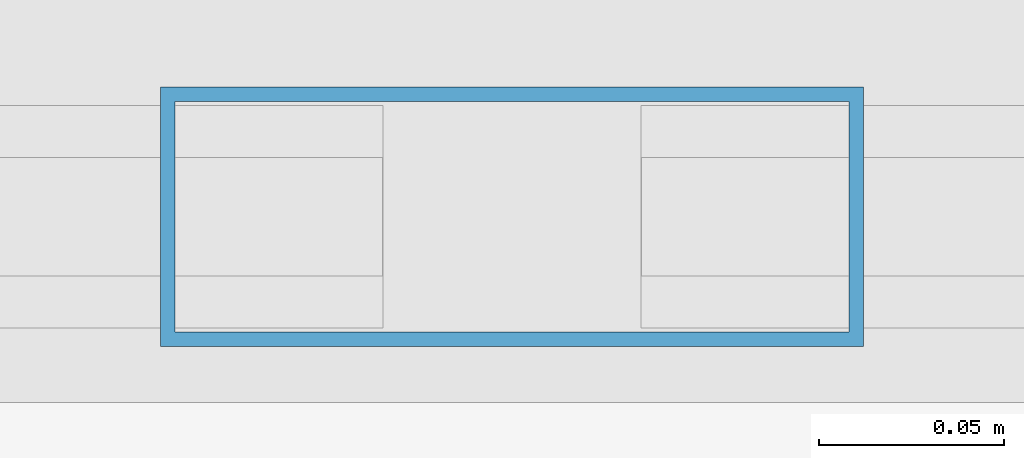
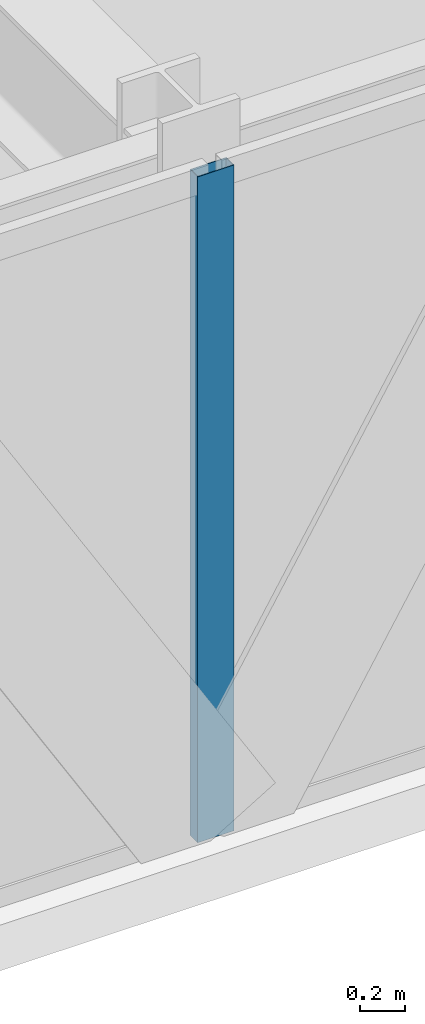
# One storey, part 7 of 32: 1 member, 1 element without a shape of its own.
"""IFC4 building model written with IfcOpenShell, lengths in metres."""

from ifc_helpers import new_model, si_unit, direction, frame, origin, origin_2d, place, context, subcontext, project, spatial, hollow_rectangle, extrude, source, transform, mapped, material, layer, layer_set, material_profile, profile_set, type_object, type_shapes, element, aggregate, save


model = new_model("IFC4")

# Units and contexts
model_context = context("Model", 3, precision=1e-05, world=origin(), true_north=direction((0.0, 1.0)))
body_context = subcontext(model_context, "Body", "Model", "MODEL_VIEW")
ifc_project = project(units=[si_unit("LENGTHUNIT", "METRE"), si_unit("AREAUNIT", "SQUARE_METRE"), si_unit("VOLUMEUNIT", "CUBIC_METRE"), si_unit("PLANEANGLEUNIT", "RADIAN"), si_unit("MASSUNIT", "GRAM", prefix="KILO")], contexts=[model_context])

# Site, building, storey
site_placement = place(None, origin())
site = spatial("IfcSite", under=ifc_project, at=site_placement, CompositionType="ELEMENT")
building_placement = place(site_placement, origin())
building = spatial("IfcBuilding", under=site, at=building_placement, Name="Varnel Quay Broadcast Tower", CompositionType="ELEMENT")
storey_placement = place(building_placement, frame((0.0, 0.0, 43.199951171875)))
storey = spatial("IfcBuildingStorey", under=building, at=storey_placement, Name="L09", CompositionType="ELEMENT", Elevation=43.199951171875)

# Curtain wall, member
ifc_material = material(Name="Anodised Bronze Aluminium 6063-T6", Category="aluminium")
ifc_layer = layer(ifc_material, 0.18994140625, Name="Anodised Bronze Aluminium 6063-T6")
ifc_layer_set = layer_set([ifc_layer], Name="Anodised Bronze Aluminium 6063-T6")
curtain_wall_type = type_object("IfcCurtainWallType", Name="CW_LowerTower", PredefinedType="NOTDEFINED", material=ifc_layer_set)
curtain_wall_placement = place(storey_placement, origin())
curtain_wall = element("IfcCurtainWall", 1, at=curtain_wall_placement, inside=storey, type_object=curtain_wall_type, Name="L09 South Unitised Curtain Wall 2", PredefinedType="NOTDEFINED")
ifc_material_profile = material_profile(ifc_material, hollow_rectangle(XDim=0.070068359375, YDim=0.18994140625, WallThickness=0.00390625, at=origin_2d()), Name="ALU70X190X4")
ifc_profile_set = profile_set([ifc_material_profile], Name="Anodised Bronze Aluminium 6063-T6")
member_type = type_object("IfcMemberType", Name="Mull_CWS-02", PredefinedType="MULLION", material=ifc_profile_set)
shared_shape = source(origin(), body_context, "Body", "SweptSolid", [
    extrude(hollow_rectangle(XDim=0.070068359375, YDim=0.18994140625, WallThickness=0.00390625, at=origin_2d()), origin(), (0.0, 0.0, 1.0), 3.650146484375),
])
type_shapes(member_type, [shared_shape])
member_placement = place(storey_placement, frame((34.0, 1.35009765625, 0.0), z_axis=(0.0, 0.0, 1.0), x_axis=(0.0, 1.0, 0.0)))
member = element("IfcMember", 2, at=member_placement, type_object=member_type, Name="CWS-02 mullion 2", PredefinedType="MULLION", context=body_context, shape_type="MappedRepresentation", body=[
    mapped(shared_shape, transform((0.0, 0.0, 0.0), x_axis=(1.0, 0.0, 0.0), y_axis=(0.0, 1.0, 0.0), z_axis=(0.0, 0.0, 1.0), scale=1.0)),
])
aggregate(curtain_wall, [member])

save(model, "model.ifc")
